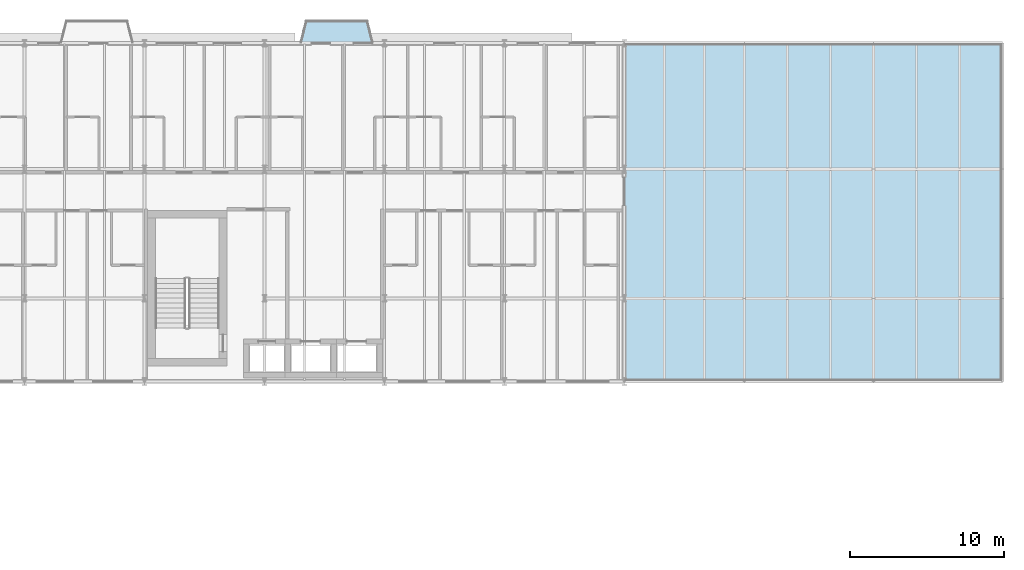
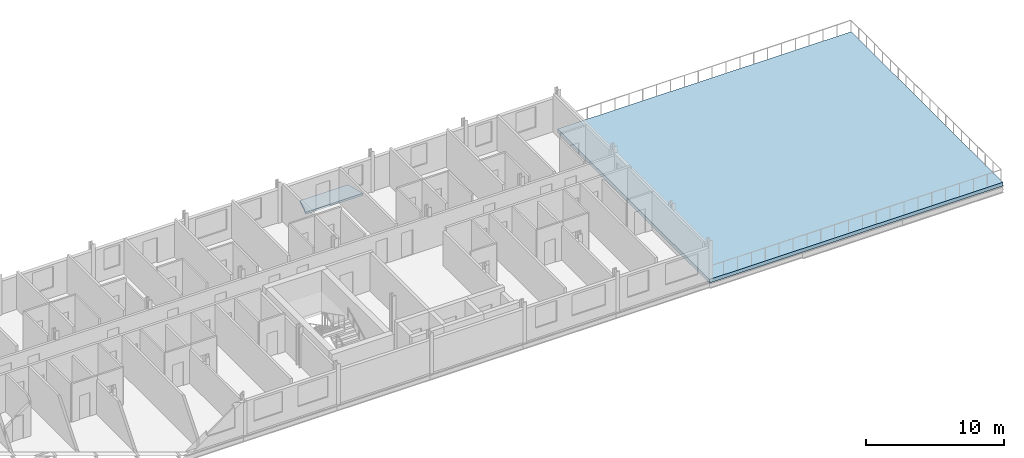
# One storey, part 12 of 30: 2 slabs.
"""IFC4 building model written with IfcOpenShell, lengths in metres."""

from ifc_helpers import new_model, si_unit, direction, frame, origin, place, context, subcontext, project, spatial, polyline, outline, extrude, material, layer, layer_set, type_object, element, save


model = new_model("IFC4")

# Units and contexts
model_context = context("Model", 3, precision=1e-05, world=origin(), true_north=direction((0.0, 1.0)))
body_context = subcontext(model_context, "Body", "Model", "MODEL_VIEW")
ifc_project = project(units=[si_unit("LENGTHUNIT", "METRE"), si_unit("AREAUNIT", "SQUARE_METRE"), si_unit("VOLUMEUNIT", "CUBIC_METRE"), si_unit("PLANEANGLEUNIT", "RADIAN"), si_unit("MASSUNIT", "GRAM", prefix="KILO")], contexts=[model_context])

# Site, building, storey
site_placement = place(None, origin())
site = spatial("IfcSite", under=ifc_project, at=site_placement, CompositionType="ELEMENT")
building_placement = place(site_placement, origin())
building = spatial("IfcBuilding", under=site, at=building_placement, Name="Sefraquen Railside Congress Hotel", CompositionType="ELEMENT")
storey_placement = place(building_placement, frame((0.0, 0.0, 35.39990234375)))
storey = spatial("IfcBuildingStorey", under=building, at=storey_placement, Name="L08", CompositionType="ELEMENT", Elevation=35.39990234375)

# Slabs
ifc_material = material(Name="Concrete C40/50", Category="concrete")
ifc_layer_1 = layer(ifc_material, 0.179931640625)
ifc_layer_set_1 = layer_set([ifc_layer_1], Name="Concrete C40/50")
slab_type_1 = type_object("IfcSlabType", Name="TS-BL-180", PredefinedType="FLOOR", material=ifc_layer_set_1)
slab_1_placement = place(storey_placement, frame((0.0, 0.0, -0.179931640625)))
element("IfcSlab", 1, at=slab_1_placement, inside=storey, type_object=slab_type_1, Name="Hotel Art Nouveau balcony slab L08-04", PredefinedType="FLOOR", context=body_context, shape_type="SweptSolid", body=[
    extrude(outline(polyline([(74.300048828125, 118.0), (79.10009765625, 118.0), (78.699951171875, 119.5), (74.699951171875, 119.5), (74.300048828125, 118.0)])), origin(), (0.0, 0.0, 1.0), 0.179931640625),
])
ifc_layer_2 = layer(ifc_material, 0.320068359375)
ifc_layer_set_2 = layer_set([ifc_layer_2], Name="Concrete C40/50")
slab_type_2 = type_object("IfcSlabType", Name="TS-TR-320", PredefinedType="FLOOR", material=ifc_layer_set_2)
slab_2_placement = place(storey_placement, frame((0.0, 0.0, -0.31982421875)))
element("IfcSlab", 2, at=slab_2_placement, inside=storey, type_object=slab_type_2, Name="Hotel Sunset Roof Terrace L08 outdoor slab", PredefinedType="FLOOR", context=body_context, shape_type="SweptSolid", body=[
    extrude(outline(polyline([(95.39990234375, 96.0), (120.0, 96.0), (120.0, 118.0), (95.39990234375, 118.0), (95.39990234375, 96.0)])), origin(), (0.0, 0.0, 1.0), 0.31982421875),
])

save(model, "model.ifc")
